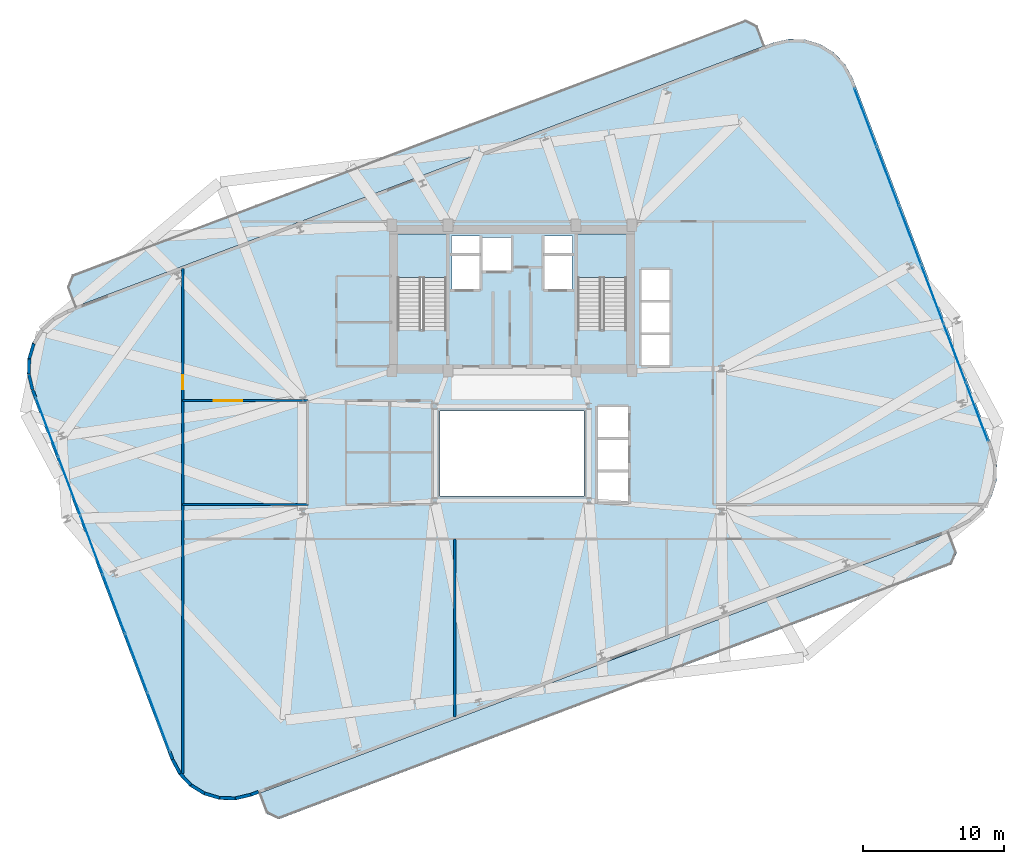
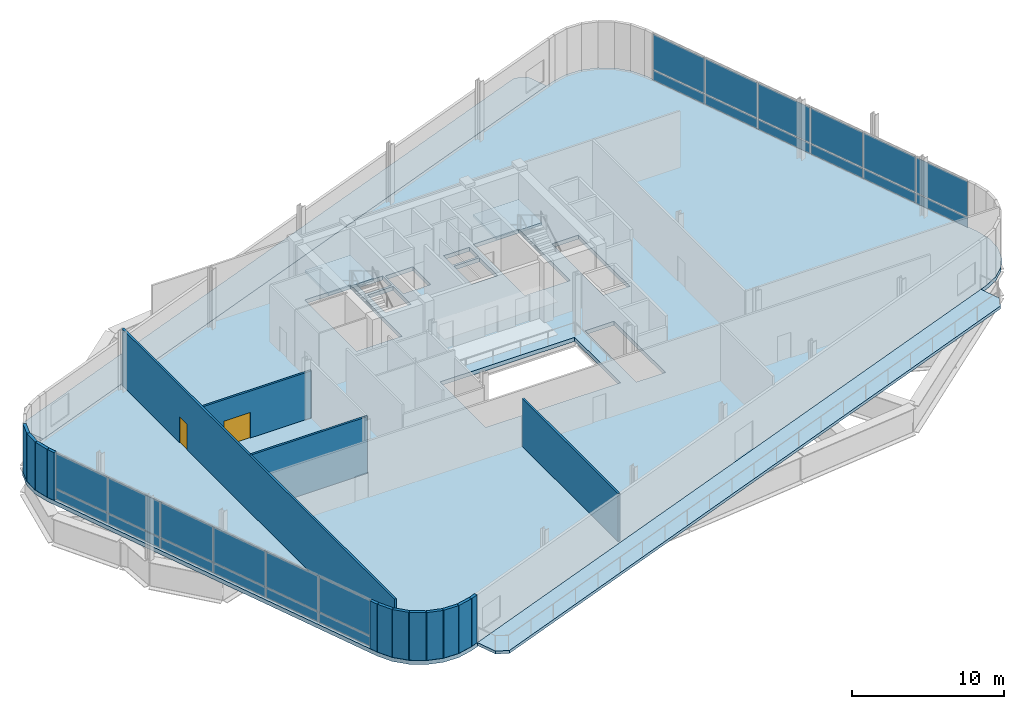
# One storey, part 12 of 19: 24 plates, 16 walls, 5 slabs, 2 doors, 2 openings, 4 elements without a shape of their own.
"""IFC4 building model written with IfcOpenShell, lengths in metres."""

from ifc_helpers import new_model, si_unit, direction, frame, frame_2d, origin, origin_2d, place, context, subcontext, project, spatial, polyline, rectangle, outline, extrude, source, transform, mapped, material, layer, layer_set, type_object, element, fill, aggregate, save


model = new_model("IFC4")

# Units and contexts
model_context = context("Model", 3, precision=1e-05, world=origin(), true_north=direction((0.0, 1.0)))
body_context = subcontext(model_context, "Body", "Model", "MODEL_VIEW")
ifc_project = project(units=[si_unit("LENGTHUNIT", "METRE"), si_unit("AREAUNIT", "SQUARE_METRE"), si_unit("VOLUMEUNIT", "CUBIC_METRE"), si_unit("PLANEANGLEUNIT", "RADIAN"), si_unit("MASSUNIT", "GRAM", prefix="KILO")], contexts=[model_context])

# Site, building, storey
site_placement = place(None, origin())
site = spatial("IfcSite", under=ifc_project, at=site_placement, CompositionType="ELEMENT")
building_placement = place(site_placement, origin())
building = spatial("IfcBuilding", under=site, at=building_placement, Name="Varnelok Gate Tower", CompositionType="ELEMENT")
storey_placement = place(building_placement, frame((0.0, 0.0, 207.89990234375)))
storey = spatial("IfcBuildingStorey", under=building, at=storey_placement, Name="L53", CompositionType="ELEMENT", Elevation=207.89990234375)

# Stair, slab
ifc_material_1 = material(Name="Concrete C50/60", Category="concrete")
stair_type = type_object("IfcStairType", Name="STR-CORE-1650", PredefinedType="HALF_TURN_STAIR", material=ifc_material_1)
stair_1_placement = place(storey_placement, origin())
stair_1 = element("IfcStair", 1, at=stair_1_placement, inside=storey, type_object=stair_type, Name="L53 Exit Stair ST-1", PredefinedType="HALF_TURN_STAIR")
ifc_material_2 = material(Name="Concrete C45/55", Category="concrete")
ifc_layer_1 = layer(ifc_material_2, 0.199951171875)
ifc_layer_set_1 = layer_set([ifc_layer_1], Name="Concrete C45/55")
slab_type_1 = type_object("IfcSlabType", Name="SLB-LAND-200", PredefinedType="LANDING", material=ifc_layer_set_1)
slab_1_placement = place(storey_placement, frame((0.0, 0.0, 2.2001953125)))
slab_1 = element("IfcSlab", 2, at=slab_1_placement, type_object=slab_type_1, Name="ST-1 landing 1", PredefinedType="LANDING", context=body_context, shape_type="SweptSolid", body=[
    extrude(outline(polyline([(34.550048828125, 35.3701171875), (34.550048828125, 38.449951171875), (31.10009765625, 38.449951171875), (31.10009765625, 35.3701171875), (34.550048828125, 35.3701171875)])), origin(), (0.0, 0.0, 1.0), 0.199951171875),
])
aggregate(stair_1, [slab_1])

stair_2_placement = place(storey_placement, origin())
stair_2 = element("IfcStair", 3, at=stair_2_placement, inside=storey, type_object=stair_type, Name="L53 Exit Stair ST-2", PredefinedType="HALF_TURN_STAIR")
slab_2_placement = place(storey_placement, frame((0.0, 0.0, 2.2001953125)))
slab_2 = element("IfcSlab", 4, at=slab_2_placement, type_object=slab_type_1, Name="ST-2 landing 1", PredefinedType="LANDING", context=body_context, shape_type="SweptSolid", body=[
    extrude(outline(polyline([(47.300048828125, 35.3701171875), (47.300048828125, 38.449951171875), (43.85009765625, 38.449951171875), (43.85009765625, 35.3701171875), (47.300048828125, 35.3701171875)])), origin(), (0.0, 0.0, 1.0), 0.199951171875),
])
aggregate(stair_2, [slab_2])

# Slabs
ifc_layer_2 = layer(ifc_material_2, 0.22998046875)
ifc_layer_set_2 = layer_set([ifc_layer_2], Name="Concrete C45/55")
slab_type_2 = type_object("IfcSlabType", Name="SLB-SKYG-230", PredefinedType="FLOOR", material=ifc_layer_set_2)
slab_3_placement = place(storey_placement, frame((0.0, 0.0, -0.22998046875)))
element("IfcSlab", 5, at=slab_3_placement, inside=storey, type_object=slab_type_2, Name="L53 South Planted Sky Garden Terrace", PredefinedType="FLOOR", context=body_context, shape_type="SweptSolid", body=[
    extrude(outline(polyline([(21.854248046875, -2.5986328125), (22.6923828125, -2.9765625), (70.295166015625, 15.04541015625), (70.6728515625, 15.88330078125), (70.1240234375, 17.3330078125), (21.305419921875, -1.149169921875), (21.854248046875, -2.5986328125)])), origin(), (0.0, 0.0, 1.0), 0.22998046875),
])
slab_4_placement = place(storey_placement, frame((0.0, 0.0, -0.22998046875)))
element("IfcSlab", 6, at=slab_4_placement, inside=storey, type_object=slab_type_2, Name="L53 North Planted Sky Garden Terrace", PredefinedType="FLOOR", context=body_context, shape_type="SweptSolid", body=[
    extrude(outline(polyline([(8.27587890625, 33.26708984375), (57.094482421875, 51.7490234375), (56.545654296875, 53.19873046875), (55.707763671875, 53.576416015625), (8.10498046875, 35.5546875), (7.727294921875, 34.716552734375), (8.27587890625, 33.26708984375)])), origin(), (0.0, 0.0, 1.0), 0.22998046875),
])
ifc_material_3 = material(Name="Concrete C60/75", Category="concrete")
ifc_layer_3 = layer(ifc_material_3, 0.320068359375)
ifc_layer_set_3 = layer_set([ifc_layer_3], Name="Concrete C60/75")
slab_type_3 = type_object("IfcSlabType", Name="SLB-TRN-320", PredefinedType="FLOOR", material=ifc_layer_set_3)
slab_5_placement = place(storey_placement, frame((0.0, 0.0, -0.31982421875)))
element("IfcSlab", 7, at=slab_5_placement, inside=storey, type_object=slab_type_3, Name="L53 Structural Floor Slab", PredefinedType="FLOOR", context=body_context, shape_type="SweptSolid", body=[
    extrude(outline(polyline([(15.071533203125, 1.195556640625), (15.614990234375, 0.18359375), (16.401611328125, -0.6533203125), (17.37841796875, -1.2578125), (18.47802734375, -1.589111328125), (19.626220703125, -1.62451171875), (20.744384765625, -1.361572265625), (70.685302734375, 17.54541015625), (71.697021484375, 18.0888671875), (72.533935546875, 18.87548828125), (73.138671875, 19.852294921875), (73.469970703125, 20.951904296875), (73.50537109375, 22.10009765625), (73.2421875, 23.21826171875), (63.32861328125, 49.404296875), (62.78515625, 50.41650390625), (61.998291015625, 51.253173828125), (61.021728515625, 51.85791015625), (59.921875, 52.189208984375), (58.773681640625, 52.224609375), (57.65576171875, 51.96142578125), (7.71484375, 33.0546875), (6.702880859375, 32.51123046875), (5.8662109375, 31.724365234375), (5.261474609375, 30.747802734375), (4.93017578125, 29.64794921875), (4.894775390625, 28.5), (5.15771484375, 27.3818359375), (15.071533203125, 1.195556640625)]), holes=[polyline([(34.550048828125, 31.679931640625), (34.550048828125, 38.449951171875), (31.10009765625, 38.449951171875), (31.10009765625, 31.679931640625), (34.550048828125, 31.679931640625)]), polyline([(47.300048828125, 31.679931640625), (47.300048828125, 38.449951171875), (43.85009765625, 38.449951171875), (43.85009765625, 31.679931640625), (47.300048828125, 31.679931640625)]), polyline([(34.949951171875, 34.550048828125), (36.89990234375, 34.550048828125), (36.89990234375, 36.89990234375), (34.949951171875, 36.89990234375), (34.949951171875, 34.550048828125)]), polyline([(41.5, 34.550048828125), (43.449951171875, 34.550048828125), (43.449951171875, 36.89990234375), (41.5, 36.89990234375), (41.5, 34.550048828125)]), polyline([(37.050048828125, 35.85009765625), (39.14990234375, 35.85009765625), (39.14990234375, 38.199951171875), (37.050048828125, 38.199951171875), (37.050048828125, 35.85009765625)]), polyline([(48.35009765625, 29.14990234375), (50.35009765625, 29.14990234375), (50.35009765625, 35.89990234375), (48.35009765625, 35.89990234375), (48.35009765625, 29.14990234375)]), polyline([(45.25, 19.449951171875), (47.449951171875, 19.449951171875), (47.449951171875, 26.199951171875), (45.25, 26.199951171875), (45.25, 19.449951171875)]), polyline([(34.919921875, 37.080078125), (36.89990234375, 37.080078125), (36.89990234375, 38.280029296875), (34.919921875, 38.280029296875), (34.919921875, 37.080078125)]), polyline([(41.5, 37.080078125), (43.47998046875, 37.080078125), (43.47998046875, 38.280029296875), (41.5, 38.280029296875), (41.5, 37.080078125)]), polyline([(34.10009765625, 19.89990234375), (44.300048828125, 19.89990234375), (44.300048828125, 25.89990234375), (34.10009765625, 25.89990234375), (34.10009765625, 19.89990234375)])]), origin(), (0.0, 0.0, 1.0), 0.31982421875),
])

# Curtain wall, plates
ifc_material_4 = material(Name="Anodized Aluminum Alloy 6063-T6", Category="aluminium")
ifc_layer_4 = layer(ifc_material_4, 0.179931640625)
ifc_layer_set_4 = layer_set([ifc_layer_4], Name="Anodized Aluminum Alloy 6063-T6")
curtain_wall_type = type_object("IfcCurtainWallType", Name="CW2-ATRIUM-GLAZING", PredefinedType="USERDEFINED", material=ifc_layer_set_4)
curtain_wall_1_placement = place(storey_placement, origin())
curtain_wall_1 = element("IfcCurtainWall", 8, at=curtain_wall_1_placement, inside=storey, type_object=curtain_wall_type, Name="L53 West End Vision Curtain Wall", ObjectType="UNITISED CURTAIN WALL", PredefinedType="USERDEFINED")
ifc_material_5 = material(Name="Low-E Laminated Double Glazing IGU", Category="glass")
ifc_layer_5 = layer(ifc_material_5, 0.031982421875)
ifc_layer_set_5 = layer_set([ifc_layer_5], Name="Low-E Laminated Double Glazing IGU")
plate_type = type_object("IfcPlateType", Name="CW-PNL-IGU32", PredefinedType="CURTAIN_PANEL", material=ifc_layer_set_5)
shared_shape_1 = source(origin(), body_context, "Body", "SweptSolid", [
    extrude(rectangle(XDim=4.354248046875, YDim=0.031982421875, at=origin_2d()), origin(), (0.0, 0.0, 1.0), 0.78759765625),
])
plate_1_placement = place(storey_placement, frame((14.192626953125, 3.91259765625, 0.074951171875), z_axis=(0.0, 0.0, 1.0), x_axis=(-0.354063850264, 0.935221251863, 0.0)))
plate_1 = element("IfcPlate", 9, at=plate_1_placement, type_object=plate_type, Name="CW2 panel 1.1", PredefinedType="CURTAIN_PANEL", context=body_context, shape_type="MappedRepresentation", body=[
    mapped(shared_shape_1, transform((0.0, 0.0, 0.0), scale=1.0)),
])
plate_2_placement = place(storey_placement, frame((6.298583984375, 24.763916015625, 0.074951171875), z_axis=(0.0, 0.0, 1.0), x_axis=(-0.354063850264, 0.935221251863, 0.0)))
plate_2 = element("IfcPlate", 10, at=plate_2_placement, type_object=plate_type, Name="CW2 panel 6.1", PredefinedType="CURTAIN_PANEL", context=body_context, shape_type="MappedRepresentation", body=[
    mapped(shared_shape_1, transform((0.0, 0.0, 0.0), scale=1.0)),
])

curtain_wall_2_placement = place(storey_placement, origin())
curtain_wall_2 = element("IfcCurtainWall", 11, at=curtain_wall_2_placement, inside=storey, type_object=curtain_wall_type, Name="L53 East End Vision Curtain Wall", ObjectType="UNITISED CURTAIN WALL", PredefinedType="USERDEFINED")
plate_3_placement = place(storey_placement, frame((64.207275390625, 46.6875, 0.074951171875), z_axis=(0.0, 0.0, 1.0), x_axis=(0.354063850264, -0.935221251863, 0.0)))
plate_3 = element("IfcPlate", 12, at=plate_3_placement, type_object=plate_type, Name="CW2 panel 1.1", PredefinedType="CURTAIN_PANEL", context=body_context, shape_type="MappedRepresentation", body=[
    mapped(shared_shape_1, transform((0.0, 0.0, 0.0), scale=1.0)),
])
plate_4_placement = place(storey_placement, frame((72.1015625, 25.8359375, 0.074951171875), z_axis=(0.0, 0.0, 1.0), x_axis=(0.354063850264, -0.935221251863, 0.0)))
plate_4 = element("IfcPlate", 13, at=plate_4_placement, type_object=plate_type, Name="CW2 panel 6.1", PredefinedType="CURTAIN_PANEL", context=body_context, shape_type="MappedRepresentation", body=[
    mapped(shared_shape_1, transform((0.0, 0.0, 0.0), scale=1.0)),
])

# Plate
shared_shape_2 = source(origin(), body_context, "Body", "SweptSolid", [
    extrude(rectangle(XDim=4.354248046875, YDim=0.031982421875, at=origin_2d()), origin(), (0.0, 0.0, 1.0), 2.8173828125),
])
plate_5_placement = place(storey_placement, frame((14.192626953125, 3.91259765625, 0.937744140625), z_axis=(0.0, 0.0, 1.0), x_axis=(-0.354063850264, 0.935221251863, 0.0)))
plate_5 = element("IfcPlate", 14, at=plate_5_placement, type_object=plate_type, Name="CW2 panel 1.2", PredefinedType="CURTAIN_PANEL", context=body_context, shape_type="MappedRepresentation", body=[
    mapped(shared_shape_2, transform((0.0, 0.0, 0.0), scale=1.0)),
])

plate_6_placement = place(storey_placement, frame((6.298583984375, 24.763916015625, 0.937744140625), z_axis=(0.0, 0.0, 1.0), x_axis=(-0.354063850264, 0.935221251863, 0.0)))
plate_6 = element("IfcPlate", 15, at=plate_6_placement, type_object=plate_type, Name="CW2 panel 6.2", PredefinedType="CURTAIN_PANEL", context=body_context, shape_type="MappedRepresentation", body=[
    mapped(shared_shape_2, transform((0.0, 0.0, 0.0), scale=1.0)),
])

plate_7_placement = place(storey_placement, frame((64.207275390625, 46.6875, 0.937744140625), z_axis=(0.0, 0.0, 1.0), x_axis=(0.354063850264, -0.935221251863, 0.0)))
plate_7 = element("IfcPlate", 16, at=plate_7_placement, type_object=plate_type, Name="CW2 panel 1.2", PredefinedType="CURTAIN_PANEL", context=body_context, shape_type="MappedRepresentation", body=[
    mapped(shared_shape_2, transform((0.0, 0.0, 0.0), scale=1.0)),
])

plate_8_placement = place(storey_placement, frame((72.1015625, 25.8359375, 0.937744140625), z_axis=(0.0, 0.0, 1.0), x_axis=(0.354063850264, -0.935221251863, 0.0)))
plate_8 = element("IfcPlate", 17, at=plate_8_placement, type_object=plate_type, Name="CW2 panel 6.2", PredefinedType="CURTAIN_PANEL", context=body_context, shape_type="MappedRepresentation", body=[
    mapped(shared_shape_2, transform((0.0, 0.0, 0.0), scale=1.0)),
])

shared_shape_3 = source(origin(), body_context, "Body", "SweptSolid", [
    extrude(rectangle(XDim=4.3916015625, YDim=0.031982421875, at=origin_2d()), origin(), (0.0, 0.0, 1.0), 0.78759765625),
])
plate_9_placement = place(storey_placement, frame((12.61767578125, 8.072265625, 0.074951171875), z_axis=(0.0, 0.0, 1.0), x_axis=(-0.354063850264, 0.935221251863, 0.0)))
plate_9 = element("IfcPlate", 18, at=plate_9_placement, type_object=plate_type, Name="CW2 panel 2.1", PredefinedType="CURTAIN_PANEL", context=body_context, shape_type="MappedRepresentation", body=[
    mapped(shared_shape_3, transform((0.0, 0.0, 0.0), scale=1.0)),
])

plate_10_placement = place(storey_placement, frame((11.036376953125, 12.24951171875, 0.074951171875), z_axis=(0.0, 0.0, 1.0), x_axis=(-0.354063850264, 0.935221251863, 0.0)))
plate_10 = element("IfcPlate", 19, at=plate_10_placement, type_object=plate_type, Name="CW2 panel 3.1", PredefinedType="CURTAIN_PANEL", context=body_context, shape_type="MappedRepresentation", body=[
    mapped(shared_shape_3, transform((0.0, 0.0, 0.0), scale=1.0)),
])

plate_11_placement = place(storey_placement, frame((9.454833984375, 16.427001953125, 0.074951171875), z_axis=(0.0, 0.0, 1.0), x_axis=(-0.354063850264, 0.935221251863, 0.0)))
plate_11 = element("IfcPlate", 20, at=plate_11_placement, type_object=plate_type, Name="CW2 panel 4.1", PredefinedType="CURTAIN_PANEL", context=body_context, shape_type="MappedRepresentation", body=[
    mapped(shared_shape_3, transform((0.0, 0.0, 0.0), scale=1.0)),
])

plate_12_placement = place(storey_placement, frame((7.873291015625, 20.604248046875, 0.074951171875), z_axis=(0.0, 0.0, 1.0), x_axis=(-0.354063850264, 0.935221251863, 0.0)))
plate_12 = element("IfcPlate", 21, at=plate_12_placement, type_object=plate_type, Name="CW2 panel 5.1", PredefinedType="CURTAIN_PANEL", context=body_context, shape_type="MappedRepresentation", body=[
    mapped(shared_shape_3, transform((0.0, 0.0, 0.0), scale=1.0)),
])

plate_13_placement = place(storey_placement, frame((65.7822265625, 42.52783203125, 0.074951171875), z_axis=(0.0, 0.0, 1.0), x_axis=(0.354063850264, -0.935221251863, 0.0)))
plate_13 = element("IfcPlate", 22, at=plate_13_placement, type_object=plate_type, Name="CW2 panel 2.1", PredefinedType="CURTAIN_PANEL", context=body_context, shape_type="MappedRepresentation", body=[
    mapped(shared_shape_3, transform((0.0, 0.0, 0.0), scale=1.0)),
])

plate_14_placement = place(storey_placement, frame((67.36376953125, 38.350341796875, 0.074951171875), z_axis=(0.0, 0.0, 1.0), x_axis=(0.354063850264, -0.935221251863, 0.0)))
plate_14 = element("IfcPlate", 23, at=plate_14_placement, type_object=plate_type, Name="CW2 panel 3.1", PredefinedType="CURTAIN_PANEL", context=body_context, shape_type="MappedRepresentation", body=[
    mapped(shared_shape_3, transform((0.0, 0.0, 0.0), scale=1.0)),
])

plate_15_placement = place(storey_placement, frame((68.9453125, 34.173095703125, 0.074951171875), z_axis=(0.0, 0.0, 1.0), x_axis=(0.354063850264, -0.935221251863, 0.0)))
plate_15 = element("IfcPlate", 24, at=plate_15_placement, type_object=plate_type, Name="CW2 panel 4.1", PredefinedType="CURTAIN_PANEL", context=body_context, shape_type="MappedRepresentation", body=[
    mapped(shared_shape_3, transform((0.0, 0.0, 0.0), scale=1.0)),
])

plate_16_placement = place(storey_placement, frame((70.526611328125, 29.995849609375, 0.074951171875), z_axis=(0.0, 0.0, 1.0), x_axis=(0.354063850264, -0.935221251863, 0.0)))
plate_16 = element("IfcPlate", 25, at=plate_16_placement, type_object=plate_type, Name="CW2 panel 5.1", PredefinedType="CURTAIN_PANEL", context=body_context, shape_type="MappedRepresentation", body=[
    mapped(shared_shape_3, transform((0.0, 0.0, 0.0), scale=1.0)),
])

shared_shape_4 = source(origin(), body_context, "Body", "SweptSolid", [
    extrude(rectangle(XDim=4.3916015625, YDim=0.031982421875, at=origin_2d()), origin(), (0.0, 0.0, 1.0), 2.8173828125),
])
plate_17_placement = place(storey_placement, frame((12.61767578125, 8.072265625, 0.937744140625), z_axis=(0.0, 0.0, 1.0), x_axis=(-0.354063850264, 0.935221251863, 0.0)))
plate_17 = element("IfcPlate", 26, at=plate_17_placement, type_object=plate_type, Name="CW2 panel 2.2", PredefinedType="CURTAIN_PANEL", context=body_context, shape_type="MappedRepresentation", body=[
    mapped(shared_shape_4, transform((0.0, 0.0, 0.0), scale=1.0)),
])

plate_18_placement = place(storey_placement, frame((11.036376953125, 12.24951171875, 0.937744140625), z_axis=(0.0, 0.0, 1.0), x_axis=(-0.354063850264, 0.935221251863, 0.0)))
plate_18 = element("IfcPlate", 27, at=plate_18_placement, type_object=plate_type, Name="CW2 panel 3.2", PredefinedType="CURTAIN_PANEL", context=body_context, shape_type="MappedRepresentation", body=[
    mapped(shared_shape_4, transform((0.0, 0.0, 0.0), scale=1.0)),
])

plate_19_placement = place(storey_placement, frame((9.454833984375, 16.427001953125, 0.937744140625), z_axis=(0.0, 0.0, 1.0), x_axis=(-0.354063850264, 0.935221251863, 0.0)))
plate_19 = element("IfcPlate", 28, at=plate_19_placement, type_object=plate_type, Name="CW2 panel 4.2", PredefinedType="CURTAIN_PANEL", context=body_context, shape_type="MappedRepresentation", body=[
    mapped(shared_shape_4, transform((0.0, 0.0, 0.0), scale=1.0)),
])

plate_20_placement = place(storey_placement, frame((7.873291015625, 20.604248046875, 0.937744140625), z_axis=(0.0, 0.0, 1.0), x_axis=(-0.354063850264, 0.935221251863, 0.0)))
plate_20 = element("IfcPlate", 29, at=plate_20_placement, type_object=plate_type, Name="CW2 panel 5.2", PredefinedType="CURTAIN_PANEL", context=body_context, shape_type="MappedRepresentation", body=[
    mapped(shared_shape_4, transform((0.0, 0.0, 0.0), scale=1.0)),
])

aggregate(curtain_wall_1, [plate_1, plate_5, plate_9, plate_17, plate_10, plate_18, plate_11, plate_19, plate_12, plate_20, plate_2, plate_6])

plate_21_placement = place(storey_placement, frame((65.7822265625, 42.52783203125, 0.937744140625), z_axis=(0.0, 0.0, 1.0), x_axis=(0.354063850264, -0.935221251863, 0.0)))
plate_21 = element("IfcPlate", 30, at=plate_21_placement, type_object=plate_type, Name="CW2 panel 2.2", PredefinedType="CURTAIN_PANEL", context=body_context, shape_type="MappedRepresentation", body=[
    mapped(shared_shape_4, transform((0.0, 0.0, 0.0), scale=1.0)),
])

plate_22_placement = place(storey_placement, frame((67.36376953125, 38.350341796875, 0.937744140625), z_axis=(0.0, 0.0, 1.0), x_axis=(0.354063850264, -0.935221251863, 0.0)))
plate_22 = element("IfcPlate", 31, at=plate_22_placement, type_object=plate_type, Name="CW2 panel 3.2", PredefinedType="CURTAIN_PANEL", context=body_context, shape_type="MappedRepresentation", body=[
    mapped(shared_shape_4, transform((0.0, 0.0, 0.0), scale=1.0)),
])

plate_23_placement = place(storey_placement, frame((68.9453125, 34.173095703125, 0.937744140625), z_axis=(0.0, 0.0, 1.0), x_axis=(0.354063850264, -0.935221251863, 0.0)))
plate_23 = element("IfcPlate", 32, at=plate_23_placement, type_object=plate_type, Name="CW2 panel 4.2", PredefinedType="CURTAIN_PANEL", context=body_context, shape_type="MappedRepresentation", body=[
    mapped(shared_shape_4, transform((0.0, 0.0, 0.0), scale=1.0)),
])

plate_24_placement = place(storey_placement, frame((70.526611328125, 29.995849609375, 0.937744140625), z_axis=(0.0, 0.0, 1.0), x_axis=(0.354063850264, -0.935221251863, 0.0)))
plate_24 = element("IfcPlate", 33, at=plate_24_placement, type_object=plate_type, Name="CW2 panel 5.2", PredefinedType="CURTAIN_PANEL", context=body_context, shape_type="MappedRepresentation", body=[
    mapped(shared_shape_4, transform((0.0, 0.0, 0.0), scale=1.0)),
])

aggregate(curtain_wall_2, [plate_3, plate_7, plate_13, plate_21, plate_14, plate_22, plate_15, plate_23, plate_16, plate_24, plate_4, plate_8])

# Walls
ifc_layer_6 = layer(ifc_material_2, 0.219970703125)
ifc_layer_set_6 = layer_set([ifc_layer_6], Name="Concrete C45/55")
wall_type_1 = type_object("IfcWallType", Name="EW-BALC-220", PredefinedType="SOLIDWALL", material=ifc_layer_set_6)
wall_1_placement = place(storey_placement, frame((15.180908203125, 1.245361328125, 0.0), z_axis=(0.0, 0.0, 1.0), x_axis=(0.473154714138, -0.880979350773, 0.0)))
element("IfcWall", 34, at=wall_1_placement, inside=storey, type_object=wall_type_1, Name="L53 Perimeter Facade Closure Wall 1", PredefinedType="SOLIDWALL", context=body_context, shape_type="SweptSolid", body=[
    extrude(rectangle(XDim=1.124755859375, YDim=0.219970703125, at=frame_2d((0.5625, 0.0))), origin(), (0.0, 0.0, 1.0), 3.830078125),
])
for number, where, z_axis, x_axis, name in (
    (35, (15.730224609375, 0.236083984375, 0.0), (0.0, 0.0, 1.0), (0.684974096147, -0.728567421456, 0.0), "L53 Perimeter Facade Closure Wall 2"),
    (36, (16.49951171875, -0.57275390625, 0.0), (0.0, 0.0, 1.0), (0.850188908352, -0.526477748927, 0.0), "L53 Perimeter Facade Closure Wall 3"),
    (37, (17.451904296875, -1.15478515625, 0.0), (0.0, 0.0, 1.0), (0.957511908199, -0.288393733733, 0.0), "L53 Perimeter Facade Closure Wall 4"),
):
    element("IfcWall", number, at=place(storey_placement, frame(where, z_axis=z_axis, x_axis=x_axis)), inside=storey, type_object=wall_type_1, Name=name, PredefinedType="SOLIDWALL", context=body_context, shape_type="SweptSolid", body=[
        extrude(rectangle(XDim=1.092041015625, YDim=0.219970703125, at=frame_2d((0.5458984375, 0.0))), origin(), (0.0, 0.0, 1.0), 3.830078125),
    ])
wall_2_placement = place(storey_placement, frame((18.522705078125, -1.470458984375, 0.0), z_axis=(0.0, 0.0, 1.0), x_axis=(0.999523785277, -0.03085778129, 0.0)))
element("IfcWall", 38, at=wall_2_placement, inside=storey, type_object=wall_type_1, Name="L53 Perimeter Facade Closure Wall 5", PredefinedType="SOLIDWALL", context=body_context, shape_type="SweptSolid", body=[
    extrude(rectangle(XDim=1.091796875, YDim=0.219970703125, at=frame_2d((0.5458984375, 0.0))), origin(), (0.0, 0.0, 1.0), 3.830078125),
])
wall_3_placement = place(storey_placement, frame((19.638427734375, -1.498291015625, 0.0), z_axis=(0.0, 0.0, 1.0), x_axis=(0.973466629241, 0.22882902297, 0.0)))
element("IfcWall", 39, at=wall_3_placement, inside=storey, type_object=wall_type_1, Name="L53 Perimeter Facade Closure Wall 6", PredefinedType="SOLIDWALL", context=body_context, shape_type="SweptSolid", body=[
    extrude(rectangle(XDim=1.10009765625, YDim=0.219970703125, at=frame_2d((0.550048828125, 0.0))), origin(), (0.0, 0.0, 1.0), 3.830078125),
])
wall_4_placement = place(storey_placement, frame((20.732421875, -1.237548828125, 0.0), z_axis=(0.0, 0.0, 1.0), x_axis=(0.935317057608, 0.353810686311, 0.0)))
element("IfcWall", 40, at=wall_4_placement, inside=storey, type_object=wall_type_1, Name="L53 Perimeter Facade Closure Wall 7", PredefinedType="SOLIDWALL", context=body_context, shape_type="SweptSolid", body=[
    extrude(rectangle(XDim=0.567138671875, YDim=0.219970703125, at=frame_2d((0.28369140625, 0.0))), origin(), (0.0, 0.0, 1.0), 3.830078125),
])
for number, where, z_axis, x_axis, name in (
    (41, (5.364501953125, 30.674072265625, 0.0), (0.0, 0.0, 1.0), (-0.288393733733, -0.957511908199, 0.0), "L53 Perimeter Facade Closure Wall 28"),
    (42, (5.048828125, 29.603515625, 0.0), (0.0, 0.0, 1.0), (-0.030850886097, -0.999523998125, 0.0), "L53 Perimeter Facade Closure Wall 29"),
):
    element("IfcWall", number, at=place(storey_placement, frame(where, z_axis=z_axis, x_axis=x_axis)), inside=storey, type_object=wall_type_1, Name=name, PredefinedType="SOLIDWALL", context=body_context, shape_type="SweptSolid", body=[
        extrude(rectangle(XDim=1.092041015625, YDim=0.219970703125, at=frame_2d((0.5458984375, 0.0))), origin(), (0.0, 0.0, 1.0), 3.830078125),
    ])
wall_5_placement = place(storey_placement, frame((5.02099609375, 28.48779296875, 0.0), z_axis=(0.0, 0.0, 1.0), x_axis=(0.22882902297, -0.973466629241, 0.0)))
element("IfcWall", 43, at=wall_5_placement, inside=storey, type_object=wall_type_1, Name="L53 Perimeter Facade Closure Wall 30", PredefinedType="SOLIDWALL", context=body_context, shape_type="SweptSolid", body=[
    extrude(rectangle(XDim=1.10009765625, YDim=0.219970703125, at=frame_2d((0.550048828125, 0.0))), origin(), (0.0, 0.0, 1.0), 3.830078125),
])
for number, where, z_axis, x_axis, name in (
    (44, (5.281494140625, 27.3935546875, 0.0), (0.0, 0.0, 1.0), (0.354042098677, -0.935229486471, 0.0), "L53 Perimeter Facade Closure Wall 31"),
    (45, (14.9677734375, 1.80859375, 0.0), (0.0, 0.0, 1.0), (0.354042098677, -0.935229486471, 0.0), "L53 Perimeter Facade Closure Wall 32"),
):
    element("IfcWall", number, at=place(storey_placement, frame(where, z_axis=z_axis, x_axis=x_axis)), inside=storey, type_object=wall_type_1, Name=name, PredefinedType="SOLIDWALL", context=body_context, shape_type="SweptSolid", body=[
        extrude(rectangle(XDim=0.5771484375, YDim=0.219970703125, at=frame_2d((0.28857421875, 0.0))), origin(), (0.0, 0.0, 1.0), 3.830078125),
    ])
ifc_material_6 = material(Name="Gypsum Plasterboard Acoustic Partition", Category="gypsum")
ifc_layer_7 = layer(ifc_material_6, 0.14990234375)
ifc_layer_set_7 = layer_set([ifc_layer_7], Name="Gypsum Plasterboard Acoustic Partition")
wall_type_2 = type_object("IfcWallType", Name="PW-PART-150", PredefinedType="PARTITIONING", material=ifc_layer_set_7)
wall_6_placement = place(storey_placement, frame((35.14990234375, 4.241943359375, 0.0), z_axis=(0.0, 0.0, 1.0), x_axis=(0.0, 1.0, 0.0)))
element("IfcWall", 46, at=wall_6_placement, inside=storey, type_object=wall_type_2, Name="Interior Partition", PredefinedType="PARTITIONING", context=body_context, shape_type="SweptSolid", body=[
    extrude(rectangle(XDim=12.608154296875, YDim=0.14990234375, at=frame_2d((6.30419921875, 0.0))), origin(), (0.0, 0.0, 1.0), 3.839111328125),
])

# Wall, opening, door
wall_7_placement = place(storey_placement, frame((15.89990234375, 26.639892578125, 0.0), z_axis=(0.0, 0.0, 1.0), x_axis=(1.0, 0.0, 0.0)))
wall_7 = element("IfcWall", 47, at=wall_7_placement, inside=storey, type_object=wall_type_2, Name="Interior Partition", PredefinedType="PARTITIONING", context=body_context, shape_type="SweptSolid", body=[
    extrude(rectangle(XDim=8.85009765625, YDim=0.14990234375, at=frame_2d((4.425048828125, 0.0))), origin(), (0.0, 0.0, 1.0), 3.76220703125),
])
opening_1_placement = place(wall_7_placement, frame((2.199951171875, 0.0, 0.0)))
opening_1 = element("IfcOpeningElement", 48, at=opening_1_placement, cuts=wall_7, Name="Opening D-BL", PredefinedType="OPENING", context=body_context, shape_type="SweptSolid", body=[
    extrude(rectangle(XDim=2.0, YDim=2.050048828125, at=frame_2d((1.0, 1.02490234375))), frame((0.0, 0.0849609375, 0.0), z_axis=(0.0, -1.0, 0.0), x_axis=(1.0, 0.0, 0.0)), (0.0, 0.0, 1.0), 0.169921875),
])
ifc_material_7 = material(Name="Engineered Hardwood Timber", Category="wood")
door_type_1 = type_object("IfcDoorType", Name="DR-BALL-2000", OperationType="DOUBLE_DOOR_SINGLE_SWING", PredefinedType="DOOR", material=ifc_material_7)
door_1_placement = place(opening_1_placement, origin())
door_1 = element("IfcDoor", 49, at=door_1_placement, inside=storey, type_object=door_type_1, Name="L53 Residences Sky Lobby Portal", OperationType="DOUBLE_DOOR_SINGLE_SWING", OverallHeight=2.050048828125, OverallWidth=2.0, PredefinedType="DOOR", context=body_context, shape_type="SweptSolid", body=[
    extrude(rectangle(XDim=2.0, YDim=2.050048828125, at=frame_2d((1.0, 1.02490234375))), frame((0.0, 0.02490234375, 0.0), z_axis=(0.0, -1.0, 0.0), x_axis=(1.0, 0.0, 0.0)), (0.0, 0.0, 1.0), 0.050048828125),
])
fill(opening_1, door_1)

# Wall
wall_8_placement = place(storey_placement, frame((15.89990234375, 19.300048828125, 0.0), z_axis=(0.0, 0.0, 1.0), x_axis=(1.0, 0.0, 0.0)))
element("IfcWall", 50, at=wall_8_placement, inside=storey, type_object=wall_type_2, Name="Interior Partition", PredefinedType="PARTITIONING", context=body_context, shape_type="SweptSolid", body=[
    extrude(rectangle(XDim=8.85009765625, YDim=0.14990234375, at=frame_2d((4.425048828125, 0.0))), origin(), (0.0, 0.0, 1.0), 4.550048828125),
])

# Wall, opening, door
wall_9_placement = place(storey_placement, frame((15.89990234375, 0.25, 0.0), z_axis=(0.0, 0.0, 1.0), x_axis=(0.0, 1.0, 0.0)))
wall_9 = element("IfcWall", 51, at=wall_9_placement, inside=storey, type_object=wall_type_2, Name="Interior Partition", PredefinedType="PARTITIONING", context=body_context, shape_type="SweptSolid", body=[
    extrude(rectangle(XDim=35.753662109375, YDim=0.14990234375, at=frame_2d((17.876953125, 0.0))), origin(), (0.0, 0.0, 1.0), 4.550048828125),
])
opening_2_placement = place(wall_9_placement, frame((27.199951171875, 0.0, 0.0)))
opening_2 = element("IfcOpeningElement", 52, at=opening_2_placement, cuts=wall_9, Name="Opening D-I1", PredefinedType="OPENING", context=body_context, shape_type="SweptSolid", body=[
    extrude(rectangle(XDim=1.0, YDim=2.050048828125, at=frame_2d((0.5, 1.02490234375))), frame((0.0, 0.0849609375, 0.0), z_axis=(0.0, -1.0, 0.0), x_axis=(1.0, 0.0, 0.0)), (0.0, 0.0, 1.0), 0.169921875),
])
door_type_2 = type_object("IfcDoorType", Name="DR-INT-1000", OperationType="NOTDEFINED", PredefinedType="DOOR", material=ifc_material_7)
door_2_placement = place(opening_2_placement, origin())
door_2 = element("IfcDoor", 53, at=door_2_placement, inside=storey, type_object=door_type_2, Name="L53 Wellness Lounge Door", OperationType="SINGLE_SWING_LEFT", OverallHeight=2.050048828125, OverallWidth=1.0, PredefinedType="DOOR", context=body_context, shape_type="SweptSolid", body=[
    extrude(rectangle(XDim=1.0, YDim=2.050048828125, at=frame_2d((0.5, 1.02490234375))), frame((0.0, 0.02490234375, 0.0), z_axis=(0.0, -1.0, 0.0), x_axis=(1.0, 0.0, 0.0)), (0.0, 0.0, 1.0), 0.050048828125),
])
fill(opening_2, door_2)

save(model, "model.ifc")
